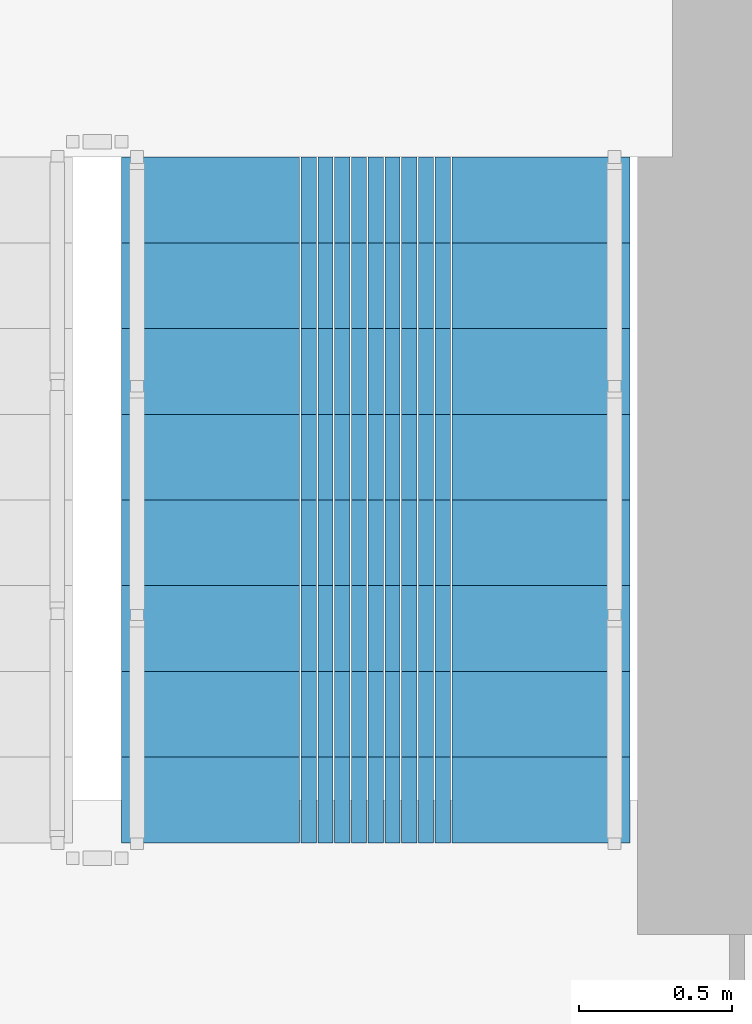
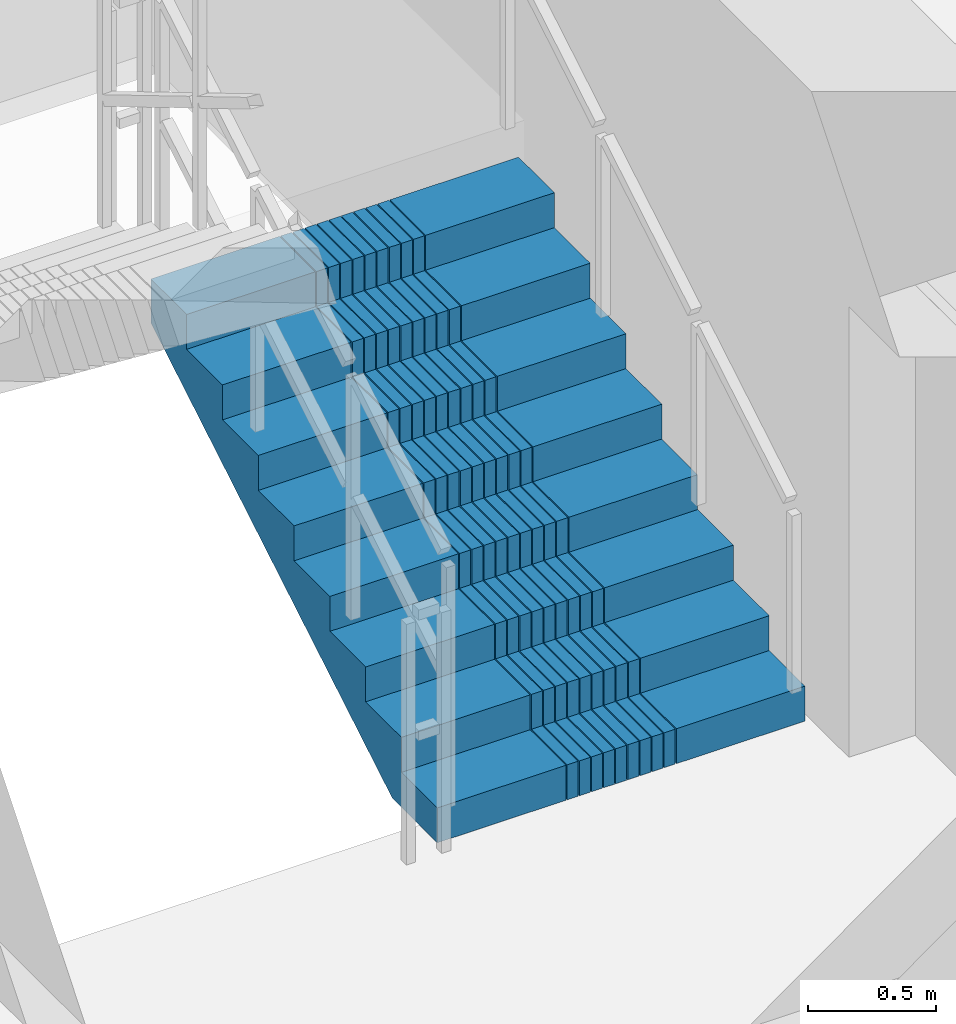
# One storey, part 10 of 18: 1 stair flight, 1 element without a shape of its own.
"""IFC4 building model written with IfcOpenShell, lengths in metres."""

from ifc_helpers import new_model, si_unit, direction, frame, origin, place, context, subcontext, project, spatial, polyline, outline, extrude, material, type_object, element, aggregate, save


model = new_model("IFC4")

# Units and contexts
model_context = context("Model", 3, precision=1e-05, world=origin(), true_north=direction((0.0, 1.0)))
body_context = subcontext(model_context, "Body", "Model", "MODEL_VIEW")
ifc_project = project(units=[si_unit("LENGTHUNIT", "METRE"), si_unit("AREAUNIT", "SQUARE_METRE"), si_unit("VOLUMEUNIT", "CUBIC_METRE"), si_unit("PLANEANGLEUNIT", "RADIAN"), si_unit("MASSUNIT", "GRAM", prefix="KILO")], contexts=[model_context])

# Site, building, storey
site_placement = place(None, origin())
site = spatial("IfcSite", under=ifc_project, at=site_placement, CompositionType="ELEMENT")
building_placement = place(site_placement, origin())
building = spatial("IfcBuilding", under=site, at=building_placement, Name="Saelheon Loggia Tower", CompositionType="ELEMENT")
storey_placement = place(building_placement, frame((0.0, 0.0, 40.39990234375)))
storey = spatial("IfcBuildingStorey", under=building, at=storey_placement, Name="L12", CompositionType="ELEMENT", Elevation=40.39990234375)

# Stair, stair flight
ifc_material = material(Name="Concrete C40/50", Category="concrete")
stair_type = type_object("IfcStairType", Name="Stair_Escape_Core", PredefinedType="HALF_TURN_STAIR", material=ifc_material)
stair_placement = place(storey_placement, origin())
stair = element("IfcStair", 1, at=stair_placement, inside=storey, type_object=stair_type, Name="L12 Special Escape Stair ST2", PredefinedType="HALF_TURN_STAIR")
stair_flight_type = type_object("IfcStairFlightType", Name="StairFlight_Tower_1660", PredefinedType="STRAIGHT", material=ifc_material)
stair_flight_placement = place(storey_placement, frame((43.320068359375, 30.449951171875, 0.0), z_axis=(0.0, 0.0, 1.0), x_axis=(0.0, 1.0, 0.0)))
stair_flight = element("IfcStairFlight", 2, at=stair_flight_placement, type_object=stair_flight_type, Name="ST2 flight 1", NumberOfRisers=9, NumberOfTreads=8, PredefinedType="STRAIGHT", RiserHeight=0.166666667, TreadLength=0.28, context=body_context, shape_type="SweptSolid", body=[
    extrude(outline(polyline([(0.0, 0.0), (0.0, 0.166748046875), (0.280029296875, 0.166748046875), (0.280029296875, 0.333251953125), (0.56005859375, 0.333251953125), (0.56005859375, 0.5), (0.840087890625, 0.5), (0.840087890625, 0.666748046875), (1.1201171875, 0.666748046875), (1.1201171875, 0.833251953125), (1.39990234375, 0.833251953125), (1.39990234375, 1.0), (1.679931640625, 1.0), (1.679931640625, 1.166748046875), (1.9599609375, 1.166748046875), (1.9599609375, 1.333251953125), (2.239990234375, 1.333251953125), (2.239990234375, 1.5), (2.239990234375, 1.1240234375), (0.351806640625, 0.0), (0.0, 0.0)])), frame((0.0, -0.2490234375, 0.0), z_axis=(0.0, -1.0, 0.0), x_axis=(1.0, 0.0, 0.0)), (0.0, 0.0, 1.0), 0.5810546875),
    extrude(outline(polyline([(0.0, 0.0), (0.0, 0.166748046875), (0.280029296875, 0.166748046875), (0.280029296875, 0.333251953125), (0.56005859375, 0.333251953125), (0.56005859375, 0.5), (0.840087890625, 0.5), (0.840087890625, 0.666748046875), (1.1201171875, 0.666748046875), (1.1201171875, 0.833251953125), (1.39990234375, 0.833251953125), (1.39990234375, 1.0), (1.679931640625, 1.0), (1.679931640625, 1.166748046875), (1.9599609375, 1.166748046875), (1.9599609375, 1.333251953125), (2.239990234375, 1.333251953125), (2.239990234375, 1.5), (2.239990234375, 1.1240234375), (0.351806640625, 0.0), (0.0, 0.0)])), frame((0.0, -0.194091796875, 0.0), z_axis=(0.0, -1.0, 0.0), x_axis=(1.0, 0.0, 0.0)), (0.0, 0.0, 1.0), 0.0498046875),
    extrude(outline(polyline([(0.0, 0.0), (0.0, 0.166748046875), (0.280029296875, 0.166748046875), (0.280029296875, 0.333251953125), (0.56005859375, 0.333251953125), (0.56005859375, 0.5), (0.840087890625, 0.5), (0.840087890625, 0.666748046875), (1.1201171875, 0.666748046875), (1.1201171875, 0.833251953125), (1.39990234375, 0.833251953125), (1.39990234375, 1.0), (1.679931640625, 1.0), (1.679931640625, 1.166748046875), (1.9599609375, 1.166748046875), (1.9599609375, 1.333251953125), (2.239990234375, 1.333251953125), (2.239990234375, 1.5), (2.239990234375, 1.1240234375), (0.351806640625, 0.0), (0.0, 0.0)])), frame((0.0, -0.139404296875, 0.0), z_axis=(0.0, -1.0, 0.0), x_axis=(1.0, 0.0, 0.0)), (0.0, 0.0, 1.0), 0.0498046875),
    extrude(outline(polyline([(0.0, 0.0), (0.0, 0.166748046875), (0.280029296875, 0.166748046875), (0.280029296875, 0.333251953125), (0.56005859375, 0.333251953125), (0.56005859375, 0.5), (0.840087890625, 0.5), (0.840087890625, 0.666748046875), (1.1201171875, 0.666748046875), (1.1201171875, 0.833251953125), (1.39990234375, 0.833251953125), (1.39990234375, 1.0), (1.679931640625, 1.0), (1.679931640625, 1.166748046875), (1.9599609375, 1.166748046875), (1.9599609375, 1.333251953125), (2.239990234375, 1.333251953125), (2.239990234375, 1.5), (2.239990234375, 1.1240234375), (0.351806640625, 0.0), (0.0, 0.0)])), frame((0.0, -0.084716796875, 0.0), z_axis=(0.0, -1.0, 0.0), x_axis=(1.0, 0.0, 0.0)), (0.0, 0.0, 1.0), 0.0498046875),
    extrude(outline(polyline([(0.0, 0.0), (0.0, 0.166748046875), (0.280029296875, 0.166748046875), (0.280029296875, 0.333251953125), (0.56005859375, 0.333251953125), (0.56005859375, 0.5), (0.840087890625, 0.5), (0.840087890625, 0.666748046875), (1.1201171875, 0.666748046875), (1.1201171875, 0.833251953125), (1.39990234375, 0.833251953125), (1.39990234375, 1.0), (1.679931640625, 1.0), (1.679931640625, 1.166748046875), (1.9599609375, 1.166748046875), (1.9599609375, 1.333251953125), (2.239990234375, 1.333251953125), (2.239990234375, 1.5), (2.239990234375, 1.1240234375), (0.351806640625, 0.0), (0.0, 0.0)])), frame((0.0, -0.02978515625, 0.0), z_axis=(0.0, -1.0, 0.0), x_axis=(1.0, 0.0, 0.0)), (0.0, 0.0, 1.0), 0.0498046875),
    extrude(outline(polyline([(0.0, 0.0), (0.0, 0.166748046875), (0.280029296875, 0.166748046875), (0.280029296875, 0.333251953125), (0.56005859375, 0.333251953125), (0.56005859375, 0.5), (0.840087890625, 0.5), (0.840087890625, 0.666748046875), (1.1201171875, 0.666748046875), (1.1201171875, 0.833251953125), (1.39990234375, 0.833251953125), (1.39990234375, 1.0), (1.679931640625, 1.0), (1.679931640625, 1.166748046875), (1.9599609375, 1.166748046875), (1.9599609375, 1.333251953125), (2.239990234375, 1.333251953125), (2.239990234375, 1.5), (2.239990234375, 1.1240234375), (0.351806640625, 0.0), (0.0, 0.0)])), frame((0.0, 0.02490234375, 0.0), z_axis=(0.0, -1.0, 0.0), x_axis=(1.0, 0.0, 0.0)), (0.0, 0.0, 1.0), 0.0498046875),
    extrude(outline(polyline([(0.0, 0.0), (0.0, 0.166748046875), (0.280029296875, 0.166748046875), (0.280029296875, 0.333251953125), (0.56005859375, 0.333251953125), (0.56005859375, 0.5), (0.840087890625, 0.5), (0.840087890625, 0.666748046875), (1.1201171875, 0.666748046875), (1.1201171875, 0.833251953125), (1.39990234375, 0.833251953125), (1.39990234375, 1.0), (1.679931640625, 1.0), (1.679931640625, 1.166748046875), (1.9599609375, 1.166748046875), (1.9599609375, 1.333251953125), (2.239990234375, 1.333251953125), (2.239990234375, 1.5), (2.239990234375, 1.1240234375), (0.351806640625, 0.0), (0.0, 0.0)])), frame((0.0, 0.07958984375, 0.0), z_axis=(0.0, -1.0, 0.0), x_axis=(1.0, 0.0, 0.0)), (0.0, 0.0, 1.0), 0.0498046875),
    extrude(outline(polyline([(0.0, 0.0), (0.0, 0.166748046875), (0.280029296875, 0.166748046875), (0.280029296875, 0.333251953125), (0.56005859375, 0.333251953125), (0.56005859375, 0.5), (0.840087890625, 0.5), (0.840087890625, 0.666748046875), (1.1201171875, 0.666748046875), (1.1201171875, 0.833251953125), (1.39990234375, 0.833251953125), (1.39990234375, 1.0), (1.679931640625, 1.0), (1.679931640625, 1.166748046875), (1.9599609375, 1.166748046875), (1.9599609375, 1.333251953125), (2.239990234375, 1.333251953125), (2.239990234375, 1.5), (2.239990234375, 1.1240234375), (0.351806640625, 0.0), (0.0, 0.0)])), frame((0.0, 0.134521484375, 0.0), z_axis=(0.0, -1.0, 0.0), x_axis=(1.0, 0.0, 0.0)), (0.0, 0.0, 1.0), 0.0498046875),
    extrude(outline(polyline([(0.0, 0.0), (0.0, 0.166748046875), (0.280029296875, 0.166748046875), (0.280029296875, 0.333251953125), (0.56005859375, 0.333251953125), (0.56005859375, 0.5), (0.840087890625, 0.5), (0.840087890625, 0.666748046875), (1.1201171875, 0.666748046875), (1.1201171875, 0.833251953125), (1.39990234375, 0.833251953125), (1.39990234375, 1.0), (1.679931640625, 1.0), (1.679931640625, 1.166748046875), (1.9599609375, 1.166748046875), (1.9599609375, 1.333251953125), (2.239990234375, 1.333251953125), (2.239990234375, 1.5), (2.239990234375, 1.1240234375), (0.351806640625, 0.0), (0.0, 0.0)])), frame((0.0, 0.189208984375, 0.0), z_axis=(0.0, -1.0, 0.0), x_axis=(1.0, 0.0, 0.0)), (0.0, 0.0, 1.0), 0.0498046875),
    extrude(outline(polyline([(0.0, 0.0), (0.0, 0.166748046875), (0.280029296875, 0.166748046875), (0.280029296875, 0.333251953125), (0.56005859375, 0.333251953125), (0.56005859375, 0.5), (0.840087890625, 0.5), (0.840087890625, 0.666748046875), (1.1201171875, 0.666748046875), (1.1201171875, 0.833251953125), (1.39990234375, 0.833251953125), (1.39990234375, 1.0), (1.679931640625, 1.0), (1.679931640625, 1.166748046875), (1.9599609375, 1.166748046875), (1.9599609375, 1.333251953125), (2.239990234375, 1.333251953125), (2.239990234375, 1.5), (2.239990234375, 1.1240234375), (0.351806640625, 0.0), (0.0, 0.0)])), frame((0.0, 0.243896484375, 0.0), z_axis=(0.0, -1.0, 0.0), x_axis=(1.0, 0.0, 0.0)), (0.0, 0.0, 1.0), 0.0498046875),
    extrude(outline(polyline([(0.0, 0.0), (0.0, 0.166748046875), (0.280029296875, 0.166748046875), (0.280029296875, 0.333251953125), (0.56005859375, 0.333251953125), (0.56005859375, 0.5), (0.840087890625, 0.5), (0.840087890625, 0.666748046875), (1.1201171875, 0.666748046875), (1.1201171875, 0.833251953125), (1.39990234375, 0.833251953125), (1.39990234375, 1.0), (1.679931640625, 1.0), (1.679931640625, 1.166748046875), (1.9599609375, 1.166748046875), (1.9599609375, 1.333251953125), (2.239990234375, 1.333251953125), (2.239990234375, 1.5), (2.239990234375, 1.1240234375), (0.351806640625, 0.0), (0.0, 0.0)])), frame((0.0, 0.830078125, 0.0), z_axis=(0.0, -1.0, 0.0), x_axis=(1.0, 0.0, 0.0)), (0.0, 0.0, 1.0), 0.5810546875),
])
aggregate(stair, [stair_flight])

save(model, "model.ifc")
